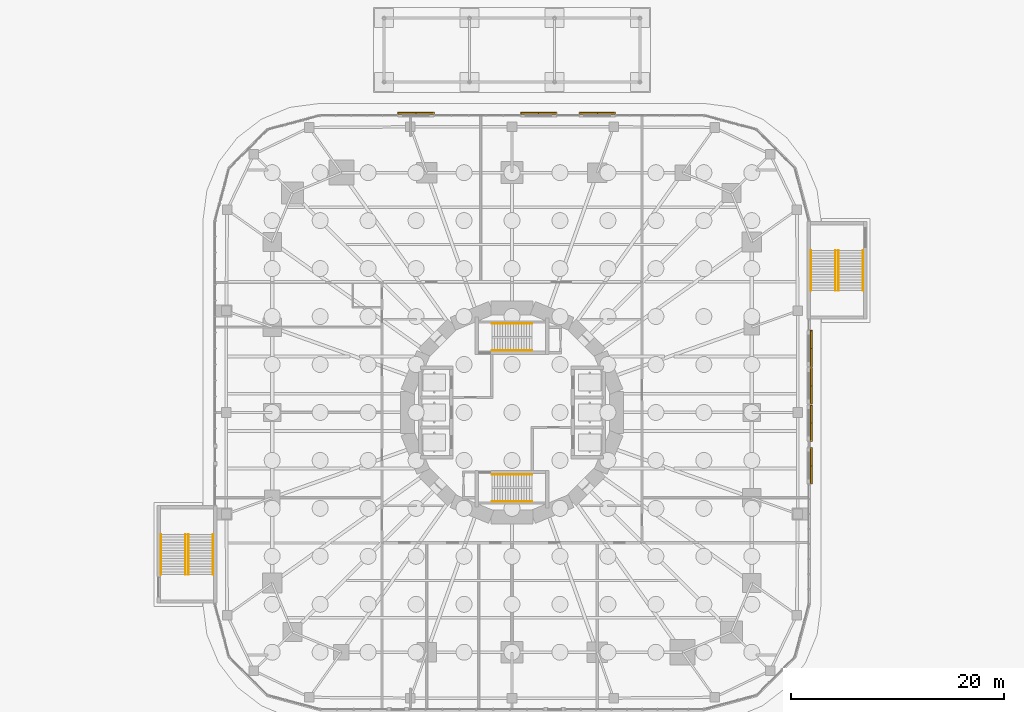
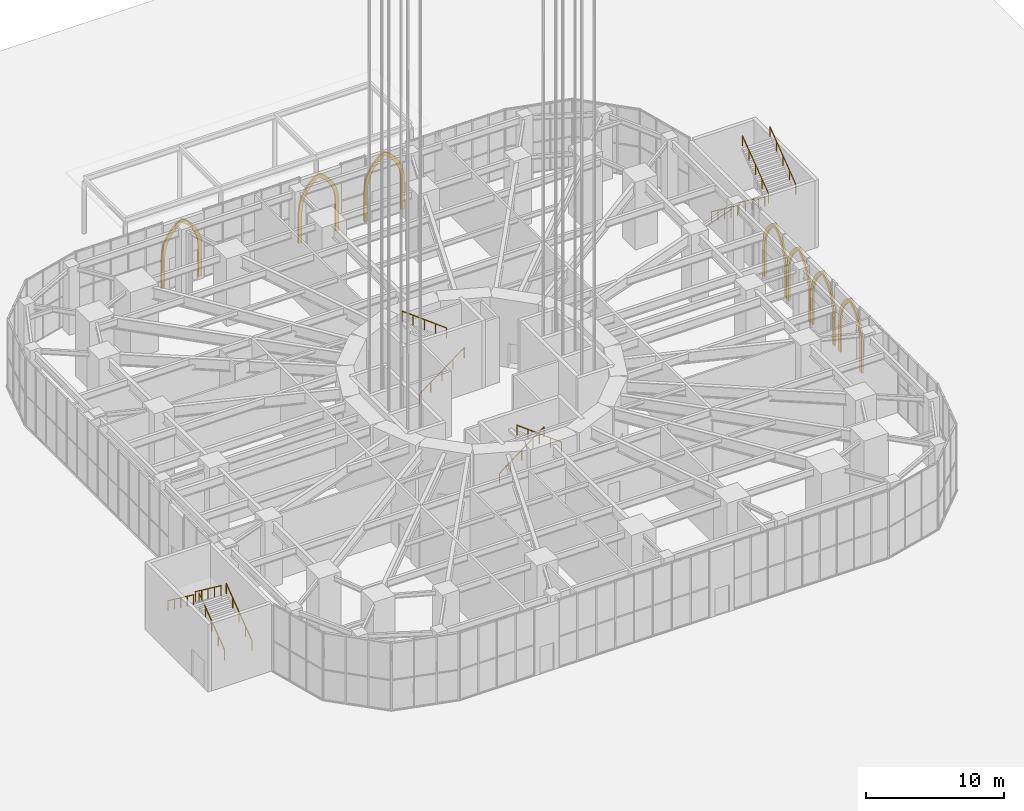
# One storey, part 30 of 43: 12 railings, 7 coverings.
"""IFC4 building model written with IfcOpenShell, lengths in metres."""

from ifc_helpers import new_model, si_unit, direction, frame, origin, origin_2d, place, context, subcontext, project, spatial, polyline, circle, outline, extrude, material, layer, layer_set, type_object, element, save


model = new_model("IFC4")

# Units and contexts
model_context = context("Model", 3, precision=1e-05, world=origin(), true_north=direction((0.0, 1.0)))
body_context = subcontext(model_context, "Body", "Model", "MODEL_VIEW")
ifc_project = project(units=[si_unit("LENGTHUNIT", "METRE"), si_unit("AREAUNIT", "SQUARE_METRE"), si_unit("VOLUMEUNIT", "CUBIC_METRE"), si_unit("PLANEANGLEUNIT", "RADIAN"), si_unit("MASSUNIT", "GRAM", prefix="KILO")], contexts=[model_context])

# Site, building, storey
site_placement = place(None, origin())
site = spatial("IfcSite", under=ifc_project, at=site_placement, CompositionType="ELEMENT")
building_placement = place(site_placement, origin())
building = spatial("IfcBuilding", under=site, at=building_placement, Name="Nakasero Lantern House", CompositionType="ELEMENT")
storey_placement = place(building_placement, origin())
storey = spatial("IfcBuildingStorey", under=building, at=storey_placement, Name="L00", CompositionType="ELEMENT", Elevation=0.0)

# Coverings
ifc_material_1 = material(Name="Concrete C40/50 precast", Category="concrete")
ifc_layer = layer(ifc_material_1, 0.14990234375)
ifc_layer_set = layer_set([ifc_layer], Name="Arch surround 3400")
covering_type = type_object("IfcCoveringType", Name="Arch surround 3400", PredefinedType="CLADDING", material=ifc_layer_set)
for number, where, z_axis, x_axis, name in (
    (1, (28.074951171875, -1.0, 0.0), (0.0, 0.0, 1.0), (0.0, 1.0, 0.0), "Arch surround L00 1"),
    (2, (28.074951171875, 6.0, 0.0), (0.0, 0.0, 1.0), (0.0, 1.0, 0.0), "Arch surround L00 2"),
    (3, (28.074951171875, 2.5, 0.0), (0.0, 0.0, 1.0), (0.0, 1.0, 0.0), "Arch surround L00 3"),
    (4, (28.074951171875, -5.0, 0.0), (0.0, 0.0, 1.0), (0.0, 1.0, 0.0), "Arch surround L00 4"),
    (5, (8.0, 28.074951171875, 0.0), (0.0, 0.0, 1.0), (-1.0, 0.0, 0.0), "Arch surround L00 1"),
    (6, (2.5, 28.074951171875, 0.0), (0.0, 0.0, 1.0), (-1.0, 0.0, 0.0), "Arch surround L00 2"),
    (7, (-9.0, 28.074951171875, 0.0), (0.0, 0.0, 1.0), (-1.0, 0.0, 0.0), "Arch surround L00 3"),
):
    element("IfcCovering", number, at=place(storey_placement, frame(where, z_axis=z_axis, x_axis=x_axis)), inside=storey, type_object=covering_type, Name=name, PredefinedType="CLADDING", context=body_context, shape_type="SweptSolid", body=[
        extrude(outline(polyline([(1.699951171875, 0.0), (1.699951171875, 2.699951171875), (1.6484375, 3.290283203125), (1.494873046875, 3.86279296875), (1.244384765625, 4.39990234375), (0.904541015625, 4.885498046875), (0.485595703125, 5.304443359375), (0.0, 5.64453125), (-0.485595703125, 5.304443359375), (-0.904541015625, 4.885498046875), (-1.244384765625, 4.39990234375), (-1.494873046875, 3.86279296875), (-1.6484375, 3.290283203125), (-1.699951171875, 2.699951171875), (-1.699951171875, 0.0), (-1.39990234375, 0.0), (-1.39990234375, 2.699951171875), (-1.35791015625, 3.20947265625), (-1.232666015625, 3.704833984375), (-1.027587890625, 4.173095703125), (-0.74853515625, 4.601318359375), (-0.40283203125, 4.977783203125), (0.0, 5.292236328125), (0.40283203125, 4.977783203125), (0.74853515625, 4.601318359375), (1.027587890625, 4.173095703125), (1.232666015625, 3.704833984375), (1.35791015625, 3.20947265625), (1.39990234375, 2.699951171875), (1.39990234375, 0.0), (1.699951171875, 0.0)])), frame((0.0, 0.074951171875, 0.0), z_axis=(0.0, -1.0, 0.0), x_axis=(1.0, 0.0, 0.0)), (0.0, 0.0, 1.0), 0.14990234375),
    ])

# Railings
ifc_material_2 = material(Name="Stainless steel 316", Category="steel")
railing_type = type_object("IfcRailingType", Name="Stair handrail 900", PredefinedType="HANDRAIL", material=ifc_material_2)
railing_1_placement = place(storey_placement, frame((-1.875, 5.800048828125, 0.1875)))
element("IfcRailing", 8, at=railing_1_placement, inside=storey, type_object=railing_type, Name="Handrail ST1 L00 flight 1", PredefinedType="HANDRAIL", context=body_context, shape_type="SweptSolid", body=[
    extrude(circle(Radius=0.02392578125, at=origin_2d()), frame((0.0, 0.0, 0.8759765625), z_axis=(0.8, 0.0, 0.6), x_axis=(0.0, 1.0, 0.0)), (0.0, 0.0, 1.0), 4.6875),
    extrude(circle(Radius=0.02099609375, at=origin_2d()), origin(), (0.0, 0.0, 1.0), 0.851806640625),
    extrude(circle(Radius=0.02099609375, at=origin_2d()), frame((0.9375, 0.0, 0.703125)), (0.0, 0.0, 1.0), 0.851806640625),
    extrude(circle(Radius=0.02099609375, at=origin_2d()), frame((1.875, 0.0, 1.40625)), (0.0, 0.0, 1.0), 0.851806640625),
    extrude(circle(Radius=0.02099609375, at=origin_2d()), frame((2.8125, 0.0, 2.109375)), (0.0, 0.0, 1.0), 0.851806640625),
    extrude(circle(Radius=0.02099609375, at=origin_2d()), frame((3.75, 0.0, 2.8125)), (0.0, 0.0, 1.0), 0.851806640625),
])
railing_2_placement = place(storey_placement, frame((1.875, 8.35009765625, 3.1875)))
element("IfcRailing", 9, at=railing_2_placement, inside=storey, type_object=railing_type, Name="Handrail ST1 L00 flight 2", PredefinedType="HANDRAIL", context=body_context, shape_type="SweptSolid", body=[
    extrude(circle(Radius=0.02392578125, at=origin_2d()), frame((0.0, 0.0, 0.8759765625), z_axis=(-0.8, 0.0, 0.6), x_axis=(0.0, -1.0, 0.0)), (0.0, 0.0, 1.0), 4.6875),
    extrude(circle(Radius=0.02099609375, at=origin_2d()), origin(), (0.0, 0.0, 1.0), 0.851806640625),
    extrude(circle(Radius=0.02099609375, at=origin_2d()), frame((-0.9375, 0.0, 0.703125)), (0.0, 0.0, 1.0), 0.851806640625),
    extrude(circle(Radius=0.02099609375, at=origin_2d()), frame((-1.875, 0.0, 1.40625)), (0.0, 0.0, 1.0), 0.851806640625),
    extrude(circle(Radius=0.02099609375, at=origin_2d()), frame((-2.8125, 0.0, 2.109375)), (0.0, 0.0, 1.0), 0.851806640625),
    extrude(circle(Radius=0.02099609375, at=origin_2d()), frame((-3.75, 0.0, 2.8125)), (0.0, 0.0, 1.0), 0.851806640625),
])
railing_3_placement = place(storey_placement, frame((-1.875, -5.800048828125, 0.1875)))
element("IfcRailing", 10, at=railing_3_placement, inside=storey, type_object=railing_type, Name="Handrail ST2 L00 flight 1", PredefinedType="HANDRAIL", context=body_context, shape_type="SweptSolid", body=[
    extrude(circle(Radius=0.02392578125, at=origin_2d()), frame((0.0, 0.0, 0.8759765625), z_axis=(0.8, 0.0, 0.6), x_axis=(0.0, 1.0, 0.0)), (0.0, 0.0, 1.0), 4.6875),
    extrude(circle(Radius=0.02099609375, at=origin_2d()), origin(), (0.0, 0.0, 1.0), 0.851806640625),
    extrude(circle(Radius=0.02099609375, at=origin_2d()), frame((0.9375, 0.0, 0.703125)), (0.0, 0.0, 1.0), 0.851806640625),
    extrude(circle(Radius=0.02099609375, at=origin_2d()), frame((1.875, 0.0, 1.40625)), (0.0, 0.0, 1.0), 0.851806640625),
    extrude(circle(Radius=0.02099609375, at=origin_2d()), frame((2.8125, 0.0, 2.109375)), (0.0, 0.0, 1.0), 0.851806640625),
    extrude(circle(Radius=0.02099609375, at=origin_2d()), frame((3.75, 0.0, 2.8125)), (0.0, 0.0, 1.0), 0.851806640625),
])
railing_4_placement = place(storey_placement, frame((1.875, -8.35009765625, 3.1875)))
element("IfcRailing", 11, at=railing_4_placement, inside=storey, type_object=railing_type, Name="Handrail ST2 L00 flight 2", PredefinedType="HANDRAIL", context=body_context, shape_type="SweptSolid", body=[
    extrude(circle(Radius=0.02392578125, at=origin_2d()), frame((0.0, 0.0, 0.8759765625), z_axis=(-0.8, 0.0, 0.6), x_axis=(0.0, -1.0, 0.0)), (0.0, 0.0, 1.0), 4.6875),
    extrude(circle(Radius=0.02099609375, at=origin_2d()), origin(), (0.0, 0.0, 1.0), 0.851806640625),
    extrude(circle(Radius=0.02099609375, at=origin_2d()), frame((-0.9375, 0.0, 0.703125)), (0.0, 0.0, 1.0), 0.851806640625),
    extrude(circle(Radius=0.02099609375, at=origin_2d()), frame((-1.875, 0.0, 1.40625)), (0.0, 0.0, 1.0), 0.851806640625),
    extrude(circle(Radius=0.02099609375, at=origin_2d()), frame((-2.8125, 0.0, 2.109375)), (0.0, 0.0, 1.0), 0.851806640625),
    extrude(circle(Radius=0.02099609375, at=origin_2d()), frame((-3.75, 0.0, 2.8125)), (0.0, 0.0, 1.0), 0.851806640625),
])
for number, where, name in (
    (12, (28.050048828125, 15.199951171875, 0.1875), "Handrail PS1 L00 flight 1 wall"),
    (13, (30.35009765625, 15.199951171875, 0.1875), "Handrail PS1 L00 flight 1 well"),
):
    element("IfcRailing", number, at=place(storey_placement, frame(where)), inside=storey, type_object=railing_type, Name=name, PredefinedType="HANDRAIL", context=body_context, shape_type="SweptSolid", body=[
        extrude(circle(Radius=0.02392578125, at=origin_2d()), frame((0.0, 0.0, 0.8759765625), z_axis=(0.0, -0.8, 0.6), x_axis=(1.0, 0.0, 0.0)), (0.0, 0.0, 1.0), 4.6875),
        extrude(circle(Radius=0.02099609375, at=origin_2d()), origin(), (0.0, 0.0, 1.0), 0.851806640625),
        extrude(circle(Radius=0.02099609375, at=origin_2d()), frame((0.0, -0.9375, 0.703125)), (0.0, 0.0, 1.0), 0.851806640625),
        extrude(circle(Radius=0.02099609375, at=origin_2d()), frame((0.0, -1.875, 1.40625)), (0.0, 0.0, 1.0), 0.851806640625),
        extrude(circle(Radius=0.02099609375, at=origin_2d()), frame((0.0, -2.8125, 2.109375)), (0.0, 0.0, 1.0), 0.851806640625),
        extrude(circle(Radius=0.02099609375, at=origin_2d()), frame((0.0, -3.75, 2.8125)), (0.0, 0.0, 1.0), 0.851806640625),
    ])
for number, where, name in (
    (14, (32.949951171875, 11.449951171875, 3.1875), "Handrail PS1 L00 flight 2 wall"),
    (15, (30.64990234375, 11.449951171875, 3.1875), "Handrail PS1 L00 flight 2 well"),
    (16, (-28.050048828125, -15.199951171875, 0.1875), "Handrail PS2 L00 flight 1 wall"),
    (17, (-30.35009765625, -15.199951171875, 0.1875), "Handrail PS2 L00 flight 1 well"),
):
    element("IfcRailing", number, at=place(storey_placement, frame(where)), inside=storey, type_object=railing_type, Name=name, PredefinedType="HANDRAIL", context=body_context, shape_type="SweptSolid", body=[
        extrude(circle(Radius=0.02392578125, at=origin_2d()), frame((0.0, 0.0, 0.8759765625), z_axis=(0.0, 0.8, 0.6), x_axis=(-1.0, 0.0, 0.0)), (0.0, 0.0, 1.0), 4.6875),
        extrude(circle(Radius=0.02099609375, at=origin_2d()), origin(), (0.0, 0.0, 1.0), 0.851806640625),
        extrude(circle(Radius=0.02099609375, at=origin_2d()), frame((0.0, 0.9375, 0.703125)), (0.0, 0.0, 1.0), 0.851806640625),
        extrude(circle(Radius=0.02099609375, at=origin_2d()), frame((0.0, 1.875, 1.40625)), (0.0, 0.0, 1.0), 0.851806640625),
        extrude(circle(Radius=0.02099609375, at=origin_2d()), frame((0.0, 2.8125, 2.109375)), (0.0, 0.0, 1.0), 0.851806640625),
        extrude(circle(Radius=0.02099609375, at=origin_2d()), frame((0.0, 3.75, 2.8125)), (0.0, 0.0, 1.0), 0.851806640625),
    ])
for number, where, name in (
    (18, (-32.949951171875, -11.449951171875, 3.1875), "Handrail PS2 L00 flight 2 wall"),
    (19, (-30.64990234375, -11.449951171875, 3.1875), "Handrail PS2 L00 flight 2 well"),
):
    element("IfcRailing", number, at=place(storey_placement, frame(where)), inside=storey, type_object=railing_type, Name=name, PredefinedType="HANDRAIL", context=body_context, shape_type="SweptSolid", body=[
        extrude(circle(Radius=0.02392578125, at=origin_2d()), frame((0.0, 0.0, 0.8759765625), z_axis=(0.0, -0.8, 0.6), x_axis=(1.0, 0.0, 0.0)), (0.0, 0.0, 1.0), 4.6875),
        extrude(circle(Radius=0.02099609375, at=origin_2d()), origin(), (0.0, 0.0, 1.0), 0.851806640625),
        extrude(circle(Radius=0.02099609375, at=origin_2d()), frame((0.0, -0.9375, 0.703125)), (0.0, 0.0, 1.0), 0.851806640625),
        extrude(circle(Radius=0.02099609375, at=origin_2d()), frame((0.0, -1.875, 1.40625)), (0.0, 0.0, 1.0), 0.851806640625),
        extrude(circle(Radius=0.02099609375, at=origin_2d()), frame((0.0, -2.8125, 2.109375)), (0.0, 0.0, 1.0), 0.851806640625),
        extrude(circle(Radius=0.02099609375, at=origin_2d()), frame((0.0, -3.75, 2.8125)), (0.0, 0.0, 1.0), 0.851806640625),
    ])

save(model, "model.ifc")
